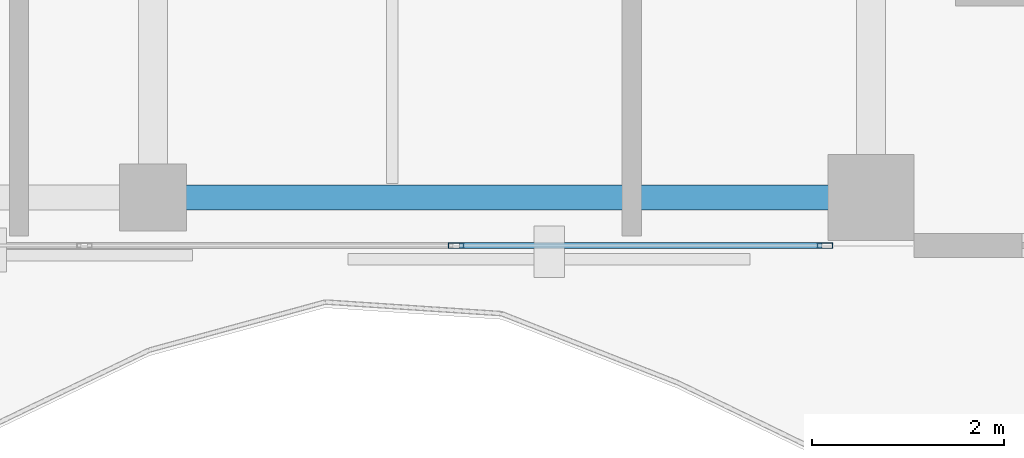
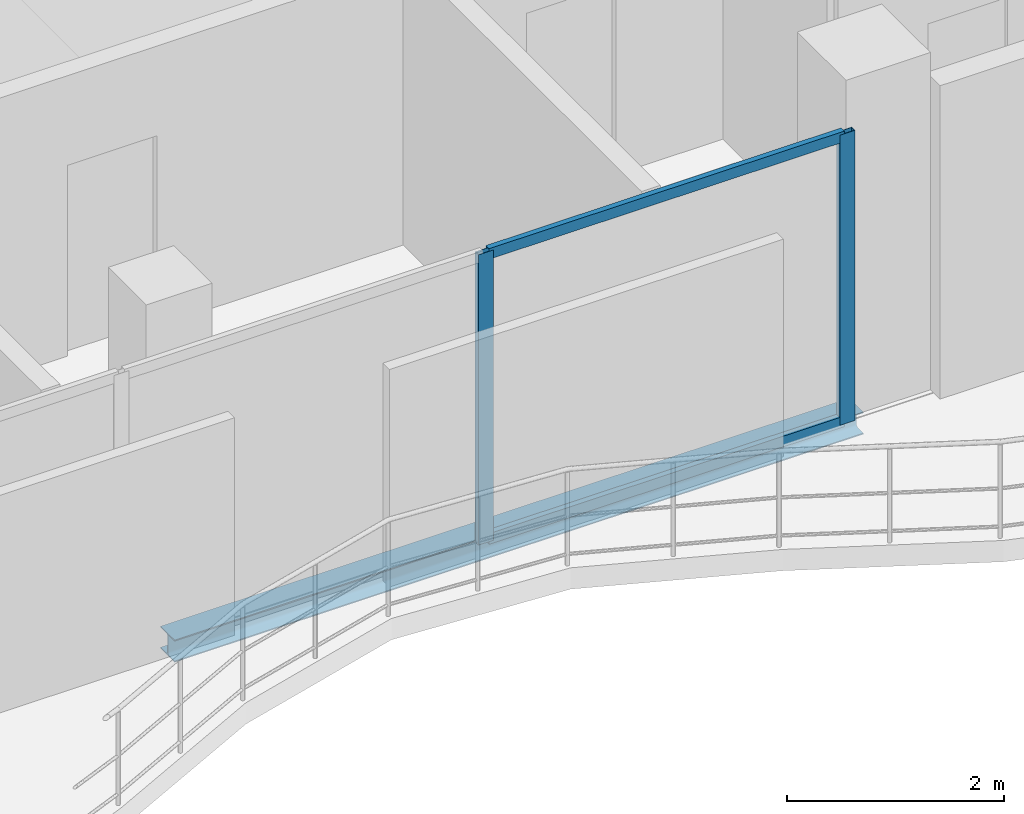
# One storey, part 6 of 17: 4 members, 1 beam, 1 element without a shape of its own.
"""IFC4 building model written with IfcOpenShell, lengths in metres."""

from ifc_helpers import new_model, si_unit, direction, frame, origin, origin_2d, place, context, subcontext, project, spatial, hollow_rectangle, i_section, extrude, material, layer, layer_set, material_profile, profile_set, type_object, element, aggregate, save


model = new_model("IFC4")

# Units and contexts
model_context = context("Model", 3, precision=1e-05, world=origin(), true_north=direction((0.0, 1.0)))
body_context = subcontext(model_context, "Body", "Model", "MODEL_VIEW")
ifc_project = project(units=[si_unit("LENGTHUNIT", "METRE"), si_unit("AREAUNIT", "SQUARE_METRE"), si_unit("VOLUMEUNIT", "CUBIC_METRE"), si_unit("PLANEANGLEUNIT", "RADIAN"), si_unit("MASSUNIT", "GRAM", prefix="KILO")], contexts=[model_context])

# Site, building, storey
site_placement = place(None, origin())
site = spatial("IfcSite", under=ifc_project, at=site_placement, CompositionType="ELEMENT")
building_placement = place(site_placement, origin())
building = spatial("IfcBuilding", under=site, at=building_placement, Name="Catumbela Crestline Tower", CompositionType="ELEMENT")
storey_placement = place(building_placement, frame((0.0, 0.0, 279.2)))
storey = spatial("IfcBuildingStorey", under=building, at=storey_placement, Name="L72", CompositionType="ELEMENT", Elevation=279.2)

# Curtain wall, members
ifc_material_1 = material(Name="Aluminium alloy AW-6060-T66", Category="aluminium")
ifc_layer = layer(ifc_material_1, 0.18, Name="Aluminium alloy AW-6060-T66")
ifc_layer_set = layer_set([ifc_layer], Name="Aluminium alloy AW-6060-T66")
curtain_wall_type = type_object("IfcCurtainWallType", Name="CWU-Z4", PredefinedType="USERDEFINED", material=ifc_layer_set)
curtain_wall_placement = place(storey_placement, origin())
curtain_wall = element("IfcCurtainWall", 1, at=curtain_wall_placement, inside=storey, type_object=curtain_wall_type, Name="L72 Unitised Curtain Wall CW-L72-E3S2", ObjectType="UNITISED", PredefinedType="USERDEFINED")
ifc_material_profile_1 = material_profile(ifc_material_1, hollow_rectangle(XDim=0.06, YDim=0.16, WallThickness=0.004, at=origin_2d()), Name="ALU 160x60x4")
ifc_profile_set_1 = profile_set([ifc_material_profile_1], Name="Aluminium alloy AW-6060-T66")
member_type_1 = type_object("IfcMemberType", Name="MUL-160X60", PredefinedType="MULLION", material=ifc_profile_set_1)
member_1_placement = place(storey_placement, frame((35.1667, 24.0, 0.0), z_axis=(0.0, 0.0, 1.0), x_axis=(0.0, 1.0, 0.0)))
member_1 = element("IfcMember", 2, at=member_1_placement, type_object=member_type_1, Name="CWU-Z4 mullion 3", PredefinedType="MULLION", context=body_context, shape_type="SweptSolid", body=[
    extrude(hollow_rectangle(XDim=0.06, YDim=0.16, WallThickness=0.004, at=origin_2d()), origin(), (0.0, 0.0, 1.0), 3.27),
])
member_2_placement = place(storey_placement, frame((39.0175, 24.0, 0.0), z_axis=(0.0, 0.0, 1.0), x_axis=(0.0, 1.0, 0.0)))
member_2 = element("IfcMember", 3, at=member_2_placement, type_object=member_type_1, Name="CWU-Z4 mullion 4", PredefinedType="MULLION", context=body_context, shape_type="SweptSolid", body=[
    extrude(hollow_rectangle(XDim=0.06, YDim=0.16, WallThickness=0.004, at=origin_2d()), origin(), (0.0, 0.0, 1.0), 3.27),
])

# Beam
ifc_material_2 = material(Name="Structural steel S355J2", Category="steel")
ifc_material_profile_2 = material_profile(ifc_material_2, i_section(OverallWidth=0.26, OverallDepth=0.25, WebThickness=0.0075, FlangeThickness=0.0125, FilletRadius=0.024, at=origin_2d()), Name="HEA 260")
ifc_profile_set_2 = profile_set([ifc_material_profile_2], Name="Structural steel S355J2")
beam_type = type_object("IfcBeamType", Name="BS-HEA260", PredefinedType="SPANDREL", material=ifc_profile_set_2)
beam_placement = place(storey_placement, frame((32.08, 24.5, -0.385), z_axis=(1.0, 0.0, 0.0), x_axis=(0.0, 1.0, 0.0)))
element("IfcBeam", 4, at=beam_placement, inside=storey, type_object=beam_type, Name="L72 Spandrel SP-L72-S03", PredefinedType="SPANDREL", context=body_context, shape_type="SweptSolid", body=[
    extrude(i_section(OverallWidth=0.26, OverallDepth=0.25, WebThickness=0.0075, FlangeThickness=0.0125, FilletRadius=0.024, at=origin_2d()), origin(), (0.0, 0.0, 1.0), 7.34),
])

# Member
ifc_material_profile_3 = material_profile(ifc_material_1, hollow_rectangle(XDim=0.06, YDim=0.12, WallThickness=0.0035, at=origin_2d()), Name="ALU 120x60x3.5")
ifc_profile_set_3 = profile_set([ifc_material_profile_3], Name="Aluminium alloy AW-6060-T66")
member_type_2 = type_object("IfcMemberType", Name="TRN-120X60", PredefinedType="USERDEFINED", material=ifc_profile_set_3)
member_3_placement = place(storey_placement, frame((35.1992, 24.0, 0.03), z_axis=(1.0, 0.0, 0.0), x_axis=(0.0, 1.0, 0.0)))
member_3 = element("IfcMember", 5, at=member_3_placement, type_object=member_type_2, Name="CWU-Z4 transom 3.1", ObjectType="TRANSOM", PredefinedType="USERDEFINED", context=body_context, shape_type="SweptSolid", body=[
    extrude(hollow_rectangle(XDim=0.06, YDim=0.12, WallThickness=0.0035, at=origin_2d()), origin(), (0.0, 0.0, 1.0), 3.7858),
])

member_4_placement = place(storey_placement, frame((35.1992, 24.0, 3.24), z_axis=(1.0, 0.0, 0.0), x_axis=(0.0, 1.0, 0.0)))
member_4 = element("IfcMember", 6, at=member_4_placement, type_object=member_type_2, Name="CWU-Z4 transom 3.2", ObjectType="TRANSOM", PredefinedType="USERDEFINED", context=body_context, shape_type="SweptSolid", body=[
    extrude(hollow_rectangle(XDim=0.06, YDim=0.12, WallThickness=0.0035, at=origin_2d()), origin(), (0.0, 0.0, 1.0), 3.7858),
])

aggregate(curtain_wall, [member_1, member_2, member_3, member_4])

save(model, "model.ifc")
